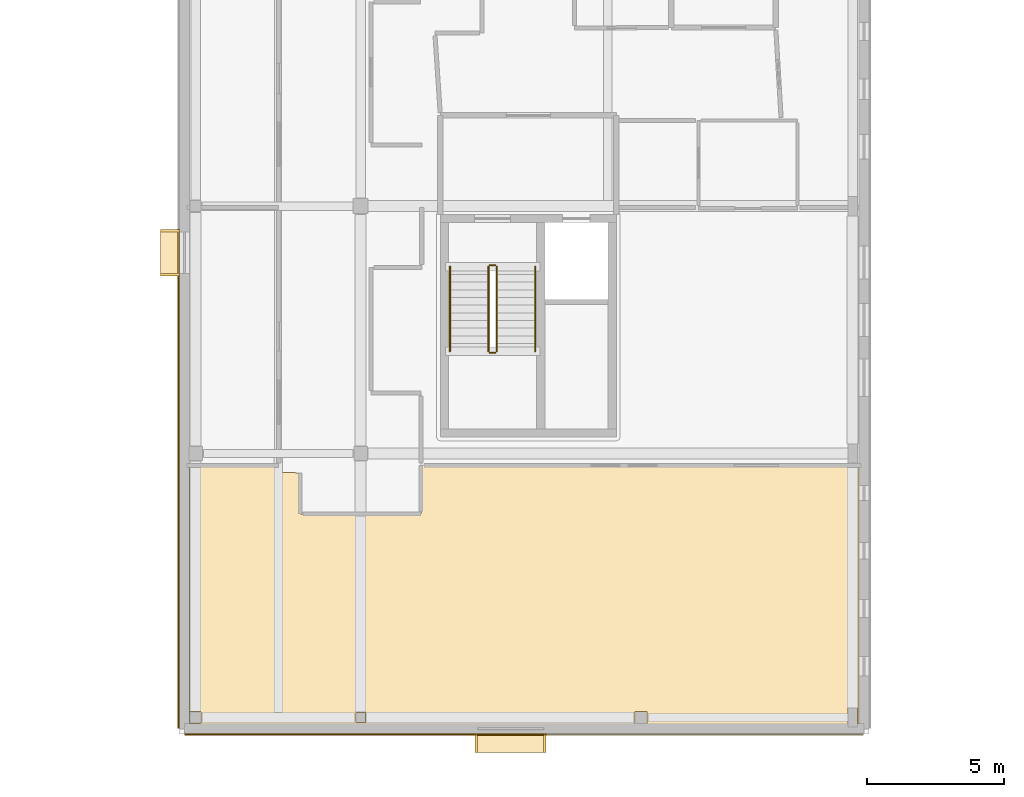
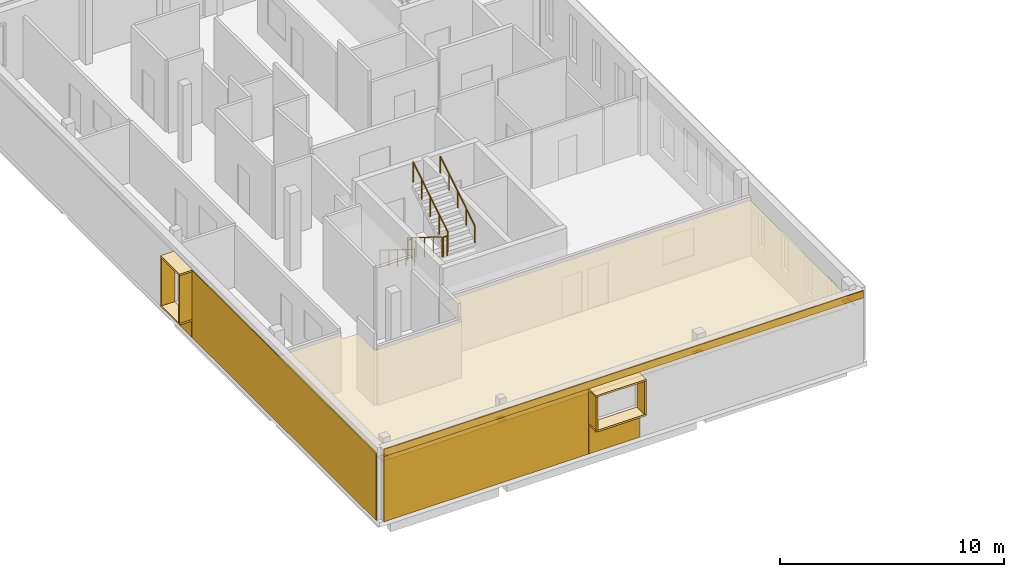
# One storey, part 61 of 84: 14 coverings, 6 railings.
"""IFC4 building model written with IfcOpenShell, lengths in metres."""

import ifcopenshell
import ifcopenshell.guid

model = None  # the IFC model being written
_history = None  # IfcOwnerHistory: only IFC2X3 demands one
_inside = {}  # id of a spatial element -> (the spatial element, [elements in it])
_under = {}  # id of a project, library or spatial element -> (it, [spatial elements below it])
_declared = {}  # id of a project -> (the project, [libraries it declares])
_typed = {}  # id of a type object -> (the type object, [elements of that type])
_made_of = {}  # id of a material, layer set ... -> (it, [elements and type objects made of it])


def new_model(schema):
    """Start an empty IFC model of exactly this schema.

    Asked for "IFC4X3", IfcOpenShell would pick the latest addendum, in which some entities
    have other attributes; the version numbers below select the first issue.
    IFC2X3 requires an IfcOwnerHistory on every rooted entity: one is made here for all.
    """
    global model, _history
    if schema == "IFC4X3":
        model = ifcopenshell.file(schema_version=(4, 3, 0, 0))
    else:
        model = ifcopenshell.file(schema=schema)
    _inside.clear()
    _under.clear()
    _declared.clear()
    _typed.clear()
    _made_of.clear()
    _history = None
    if model.schema == "IFC2X3":
        org = make("IfcOrganization", Name="unknown")
        user = make(
            "IfcPersonAndOrganization",
            ThePerson=make("IfcPerson", FamilyName="unknown"),
            TheOrganization=org,
        )
        app = make(
            "IfcApplication",
            ApplicationDeveloper=org,
            Version="unknown",
            ApplicationFullName="unknown",
            ApplicationIdentifier="unknown",
        )
        _history = make(
            "IfcOwnerHistory",
            OwningUser=user,
            OwningApplication=app,
            ChangeAction="ADDED",
            CreationDate=0,
        )
    return model


def make(cls, **values):
    """One entity of the class cls with the attributes given. An attribute that is None is left unset."""
    return model.create_entity(
        cls, **{name: value for name, value in values.items() if value is not None}
    )


def rooted(cls, **values):
    """An entity with a GlobalId (a new one), such as an element, a storey or a relation."""
    return make(cls, GlobalId=ifcopenshell.guid.new(), OwnerHistory=_history, **values)


def si_unit(unit_type, name, prefix=None):
    """IfcSIUnit, for example si_unit("LENGTHUNIT", "METRE", prefix="MILLI")."""
    return make("IfcSIUnit", UnitType=unit_type, Prefix=prefix, Name=name)


def assignment(units):
    """IfcUnitAssignment: the units of a project."""
    return None if units is None else make("IfcUnitAssignment", Units=units)


def point(xyz):
    """IfcCartesianPoint."""
    return None if xyz is None else make("IfcCartesianPoint", Coordinates=xyz)


def direction(xyz):
    """IfcDirection."""
    return None if xyz is None else make("IfcDirection", DirectionRatios=xyz)


def frame(location, z_axis=None, x_axis=None):
    """IfcAxis2Placement3D, a coordinate frame: its origin and axes. An axis left out is left unset."""
    return make(
        "IfcAxis2Placement3D",
        Location=point(location),
        Axis=direction(z_axis),
        RefDirection=direction(x_axis),
    )


def frame_2d(location, x_axis=None):
    """IfcAxis2Placement2D, a coordinate frame in the plane: its origin and x axis."""
    return make(
        "IfcAxis2Placement2D", Location=point(location), RefDirection=direction(x_axis)
    )


def origin():
    """The frame at (0, 0, 0) with its axes left unset."""
    return frame((0.0, 0.0, 0.0))


def origin_2d():
    """The frame at (0, 0) in the plane with its x axis left unset."""
    return frame_2d((0.0, 0.0))


def place(relative_to, where):
    """IfcLocalPlacement: puts the frame where relative to a parent placement (None: the world)."""
    return make(
        "IfcLocalPlacement", PlacementRelTo=relative_to, RelativePlacement=where
    )


def context(
    kind, dimensions, precision=None, world=None, true_north=None, identifier=None
):
    """IfcGeometricRepresentationContext, for example the 3D "Model" context."""
    return make(
        "IfcGeometricRepresentationContext",
        ContextIdentifier=identifier,
        ContextType=kind,
        CoordinateSpaceDimension=dimensions,
        Precision=precision,
        WorldCoordinateSystem=world,
        TrueNorth=true_north,
    )


def subcontext(parent, identifier, kind, view, scale=None):
    """IfcGeometricRepresentationSubContext, for example "Body" below "Model"."""
    return make(
        "IfcGeometricRepresentationSubContext",
        ContextIdentifier=identifier,
        ContextType=kind,
        ParentContext=parent,
        TargetScale=scale,
        TargetView=view,
    )


def project(units=None, contexts=None):
    """IfcProject with its units and contexts."""
    return rooted(
        "IfcProject",
        Name="project",
        RepresentationContexts=contexts,
        UnitsInContext=assignment(units),
    )


def spatial(cls, under=None, at=None, **own):
    """A site, building, storey or space (cls), placed at a placement, below another one or the project."""
    s = rooted(cls, ObjectPlacement=at, **own)
    if under is not None:
        _under.setdefault(under.id(), (under, []))[1].append(s)
    return s


def polyline(points):
    """IfcPolyline through the points."""
    return make("IfcPolyline", Points=[point(p) for p in points])


def profile(cls, at=None, kind="AREA", **sizes):
    """A parametric profile (cls). Its sizes go by their IFC names, for example OverallWidth=200.0."""
    return make(cls, ProfileType=kind, Position=at, **sizes)


def rectangle(**sizes):
    """IfcRectangleProfileDef."""
    return profile("IfcRectangleProfileDef", **sizes)


def circle(**sizes):
    """IfcCircleProfileDef."""
    return profile("IfcCircleProfileDef", **sizes)


def outline(outer, holes=None, kind="AREA"):
    """IfcArbitraryClosedProfileDef: a profile drawn as a closed curve; with holes, ...WithVoids."""
    if holes is None:
        return make("IfcArbitraryClosedProfileDef", ProfileType=kind, OuterCurve=outer)
    return make(
        "IfcArbitraryProfileDefWithVoids",
        ProfileType=kind,
        OuterCurve=outer,
        InnerCurves=holes,
    )


def extrude(swept, where, along, depth):
    """IfcExtrudedAreaSolid: the profile swept, set in the frame where, extruded along a direction by depth."""
    return make(
        "IfcExtrudedAreaSolid",
        SweptArea=swept,
        Position=where,
        ExtrudedDirection=direction(along),
        Depth=depth,
    )


def shape(context_of_items, identifier, shape_type, items):
    """IfcShapeRepresentation: the items that make up one representation, for example the "Body"."""
    return make(
        "IfcShapeRepresentation",
        ContextOfItems=context_of_items,
        RepresentationIdentifier=identifier,
        RepresentationType=shape_type,
        Items=items,
    )


def material(Name=None, Category=None):
    """IfcMaterial."""
    return make("IfcMaterial", Name=Name, Category=Category)


def layer(
    of_material, thickness, ventilated=None, Name=None, Category=None, Priority=None
):
    """IfcMaterialLayer: one layer of a wall or slab, of a material (None: an air gap)."""
    return make(
        "IfcMaterialLayer",
        Material=of_material,
        LayerThickness=thickness,
        IsVentilated=ventilated,
        Name=Name,
        Category=Category,
        Priority=Priority,
    )


def layer_set(layers, Name=None):
    """IfcMaterialLayerSet."""
    return make("IfcMaterialLayerSet", MaterialLayers=layers, LayerSetName=Name)


def made_of(thing, what):
    """Note that an element or type object is made of a material, layer set ...; save() writes the relation."""
    if what is not None:
        _made_of.setdefault(what.id(), (what, []))[1].append(thing)
    return thing


def type_object(cls, material=None, **own):
    """A type object (cls), such as IfcWallType, which elements share."""
    return made_of(rooted(cls, **own), material)


def element(
    cls,
    number,
    at=None,
    inside=None,
    cuts=None,
    type_object=None,
    material=None,
    context=None,
    identifier="Body",
    shape_type=None,
    held_by="IfcProductDefinitionShape",
    body=None,
    shapes=None,
    **own,
):
    """One element of the class cls, such as IfcWall. Its Tag is "e" and its number.

    at: its placement. inside: the storey or other place that contains it. cuts: it is an
    opening in that element (IfcRelVoidsElement). A single representation is given by context,
    identifier, shape_type and body (its items); several are given by shapes. held_by: the class
    of the entity that holds the representations. save() writes the other relations.
    """
    e = rooted(cls, Tag="e%d" % number, ObjectPlacement=at, **own)
    if body is not None:
        shapes = [shape(context, identifier, shape_type, body)]
    if shapes is not None:
        e.Representation = make(held_by, Representations=shapes)
    if inside is not None:
        _inside.setdefault(inside.id(), (inside, []))[1].append(e)
    if cuts is not None:
        rooted(
            "IfcRelVoidsElement", RelatingBuildingElement=cuts, RelatedOpeningElement=e
        )
    if type_object is not None:
        _typed.setdefault(type_object.id(), (type_object, []))[1].append(e)
    return made_of(e, material)


def aggregate(whole, parts):
    """IfcRelAggregates: a whole, such as a stair, and the parts it consists of."""
    return rooted("IfcRelAggregates", RelatingObject=whole, RelatedObjects=parts)


def save(model, path):
    """Write the relations noted so far, then the file.

    IfcRelAggregates (storeys below a building ...), IfcRelContainedInSpatialStructure (elements
    in a storey), IfcRelDefinesByType, IfcRelAssociatesMaterial and IfcRelDeclares: one each for
    every whole, place, type object, material and project.
    """
    for whole, parts in _under.values():
        aggregate(whole, parts)
    for where, things in _inside.values():
        rooted(
            "IfcRelContainedInSpatialStructure",
            RelatedElements=things,
            RelatingStructure=where,
        )
    for kind, things in _typed.values():
        rooted("IfcRelDefinesByType", RelatedObjects=things, RelatingType=kind)
    for what, things in _made_of.values():
        rooted("IfcRelAssociatesMaterial", RelatedObjects=things, RelatingMaterial=what)
    for by, libraries in _declared.values():
        rooted("IfcRelDeclares", RelatingContext=by, RelatedDefinitions=libraries)
    model.write(path)


model = new_model("IFC4")

# Units and contexts
model_context = context("Model", 3, precision=1e-05, world=origin(), true_north=direction((0.0, 1.0)))
body_context = subcontext(model_context, "Body", "Model", "MODEL_VIEW")
ifc_project = project(units=[si_unit("LENGTHUNIT", "METRE"), si_unit("AREAUNIT", "SQUARE_METRE"), si_unit("VOLUMEUNIT", "CUBIC_METRE"), si_unit("PLANEANGLEUNIT", "RADIAN"), si_unit("MASSUNIT", "GRAM", prefix="KILO")], contexts=[model_context])

# Site, building, storey
site_placement = place(None, origin())
site = spatial("IfcSite", under=ifc_project, at=site_placement, CompositionType="ELEMENT")
building_placement = place(site_placement, origin())
building = spatial("IfcBuilding", under=site, at=building_placement, Name="Mzevani Central Library", CompositionType="ELEMENT")
storey_placement = place(building_placement, frame((0.0, 0.0, 5.39990234375)))
storey = spatial("IfcBuildingStorey", under=building, at=storey_placement, Name="L01", CompositionType="ELEMENT", Elevation=5.39990234375)

# Railings
ifc_material_1 = material(Name="Brushed stainless steel rail", Category="steel")
railing_type_1 = type_object("IfcRailingType", Name="Interior Gallery and Stair Guard 1100", PredefinedType="BALUSTRADE", material=ifc_material_1)
railing_1_placement = place(storey_placement, frame((40.449951171875, 21.0, 0.175048828125)))
element("IfcRailing", 1, at=railing_1_placement, inside=storey, type_object=railing_type_1, Name="L01 ST-07 stair guard 1", PredefinedType="BALUSTRADE", context=body_context, shape_type="SweptSolid", body=[
    extrude(circle(Radius=0.02392578125, at=origin_2d()), frame((0.0, 0.0, 1.076171875), z_axis=(0.0, -0.847998304005, 0.529998940003), x_axis=(1.0, 0.0, 0.0)), (0.0, 0.0, 1.0), 3.632080078125),
    extrude(circle(Radius=0.02099609375, at=origin_2d()), origin(), (0.0, 0.0, 1.0), 1.052001953125),
    extrude(circle(Radius=0.02099609375, at=origin_2d()), frame((0.0, -0.77001953125, 0.481201171875)), (0.0, 0.0, 1.0), 1.052001953125),
    extrude(circle(Radius=0.02099609375, at=origin_2d()), frame((0.0, -1.5400390625, 0.96240234375)), (0.0, 0.0, 1.0), 1.052001953125),
    extrude(circle(Radius=0.02099609375, at=origin_2d()), frame((0.0, -2.31005859375, 1.44384765625)), (0.0, 0.0, 1.0), 1.052001953125),
    extrude(circle(Radius=0.02099609375, at=origin_2d()), frame((0.0, -3.080078125, 1.925048828125)), (0.0, 0.0, 1.0), 1.052001953125),
])
railing_2_placement = place(storey_placement, frame((40.5, 17.8701171875, 2.10009765625)))
element("IfcRailing", 2, at=railing_2_placement, inside=storey, type_object=railing_type_1, Name="L01 ST-07 stair guard 2", PredefinedType="BALUSTRADE", context=body_context, shape_type="SweptSolid", body=[
    extrude(circle(Radius=0.02392578125, at=origin_2d()), frame((0.0, 0.0, 1.076171875), z_axis=(1.0, 0.0, 0.0), x_axis=(0.0, 1.0, 0.0)), (0.0, 0.0, 1.0), 0.199951171875),
    extrude(circle(Radius=0.02099609375, at=origin_2d()), origin(), (0.0, 0.0, 1.0), 1.052001953125),
    extrude(circle(Radius=0.02099609375, at=origin_2d()), frame((0.199951171875, 0.0, 0.0)), (0.0, 0.0, 1.0), 1.052001953125),
])
railing_3_placement = place(storey_placement, frame((40.75, 17.919921875, 2.275146484375)))
element("IfcRailing", 3, at=railing_3_placement, inside=storey, type_object=railing_type_1, Name="L01 ST-07 stair guard 3", PredefinedType="BALUSTRADE", context=body_context, shape_type="SweptSolid", body=[
    extrude(circle(Radius=0.02392578125, at=origin_2d()), frame((0.0, 0.0, 1.076171875), z_axis=(0.0, 0.847998304005, 0.529998940003), x_axis=(-1.0, 0.0, 0.0)), (0.0, 0.0, 1.0), 3.632080078125),
    extrude(circle(Radius=0.02099609375, at=origin_2d()), origin(), (0.0, 0.0, 1.0), 1.052001953125),
    extrude(circle(Radius=0.02099609375, at=origin_2d()), frame((0.0, 0.77001953125, 0.481201171875)), (0.0, 0.0, 1.0), 1.052001953125),
    extrude(circle(Radius=0.02099609375, at=origin_2d()), frame((0.0, 1.5400390625, 0.96240234375)), (0.0, 0.0, 1.0), 1.052001953125),
    extrude(circle(Radius=0.02099609375, at=origin_2d()), frame((0.0, 2.31005859375, 1.44384765625)), (0.0, 0.0, 1.0), 1.052001953125),
    extrude(circle(Radius=0.02099609375, at=origin_2d()), frame((0.0, 3.080078125, 1.925048828125)), (0.0, 0.0, 1.0), 1.052001953125),
])
railing_4_placement = place(storey_placement, frame((40.5, 21.050048828125, 0.0)))
element("IfcRailing", 4, at=railing_4_placement, inside=storey, type_object=railing_type_1, Name="L01 ST-07 stair guard 4", PredefinedType="BALUSTRADE", context=body_context, shape_type="SweptSolid", body=[
    extrude(circle(Radius=0.02392578125, at=origin_2d()), frame((0.0, 0.0, 1.076171875), z_axis=(1.0, 0.0, 0.0), x_axis=(0.0, 1.0, 0.0)), (0.0, 0.0, 1.0), 0.199951171875),
    extrude(circle(Radius=0.02099609375, at=origin_2d()), origin(), (0.0, 0.0, 1.0), 1.052001953125),
    extrude(circle(Radius=0.02099609375, at=origin_2d()), frame((0.199951171875, 0.0, 0.0)), (0.0, 0.0, 1.0), 1.052001953125),
])

# Coverings
ifc_material_2 = material(Name="Limestone ashlar cladding", Category="masonry")
ifc_layer_1 = layer(ifc_material_2, 0.050048828125, Name="Limestone Ashlar Spandrel Cladding")
ifc_layer_set_1 = layer_set([ifc_layer_1], Name="Limestone ashlar cladding")
covering_type_1 = type_object("IfcCoveringType", Name="Limestone Ashlar Spandrel Cladding", PredefinedType="CLADDING", material=ifc_layer_set_1)
for number, where, z_axis, x_axis, name in (
    (5, (41.255615234375, 3.662109375, 3.4501953125), (0.0, 0.0, 1.0), (-1.0, 0.0, 0.0), "L01 Deep Window Reveal HD (REV4-0146)"),
    (6, (41.255615234375, 3.662109375, 1.56005859375), (0.0, 0.0, 1.0), (-1.0, 0.0, 0.0), "L01 Deep Window Reveal SL (REV4-0146)"),
):
    element("IfcCovering", number, at=place(storey_placement, frame(where, z_axis=z_axis, x_axis=x_axis)), inside=storey, type_object=covering_type_1, Name=name, PredefinedType="CLADDING", context=body_context, shape_type="SweptSolid", body=[
        extrude(rectangle(XDim=2.580078125, YDim=0.679931640625, at=origin_2d()), origin(), (0.0, 0.0, 1.0), 0.090087890625),
    ])
for number, where, z_axis, x_axis, name in (
    (7, (42.50048828125, 3.662109375, 1.64990234375), (0.0, 0.0, 1.0), (-1.0, 0.0, 0.0), "L01 Deep Window Reveal JL (REV4-0146)"),
    (8, (40.010498046875, 3.662109375, 1.64990234375), (0.0, 0.0, 1.0), (-1.0, 0.0, 0.0), "L01 Deep Window Reveal JR (REV4-0146)"),
):
    element("IfcCovering", number, at=place(storey_placement, frame(where, z_axis=z_axis, x_axis=x_axis)), inside=storey, type_object=covering_type_1, Name=name, PredefinedType="CLADDING", context=body_context, shape_type="SweptSolid", body=[
        extrude(rectangle(XDim=0.090087890625, YDim=0.679931640625, at=origin_2d()), origin(), (0.0, 0.0, 1.0), 1.800048828125),
    ])
covering_1_placement = place(storey_placement, frame((41.75, 3.97607421875, 3.55029296875), z_axis=(0.0, 0.0, 1.0), x_axis=(-1.0, 0.0, 0.0)))
element("IfcCovering", 9, at=covering_1_placement, inside=storey, type_object=covering_type_1, Name="L01 Warm-White Facade Spandrel (EW4-V4-L01-0076)", PredefinedType="CLADDING", context=body_context, shape_type="SweptSolid", body=[
    extrude(rectangle(XDim=24.679931640625, YDim=0.050048828125, at=origin_2d()), origin(), (0.0, 0.0, 1.0), 0.389892578125),
])
covering_2_placement = place(storey_placement, frame((41.255615234375, 3.97607421875, 0.0), z_axis=(0.0, 0.0, 1.0), x_axis=(-1.0, 0.0, 0.0)))
element("IfcCovering", 10, at=covering_2_placement, inside=storey, type_object=covering_type_1, Name="L01 Warm-White Sill Cladding 2 (EW4-V4-L01-0076)", PredefinedType="CLADDING", context=body_context, shape_type="SweptSolid", body=[
    extrude(rectangle(XDim=2.60009765625, YDim=0.050048828125, at=origin_2d()), origin(), (0.0, 0.0, 1.0), 1.550048828125),
])
covering_3_placement = place(storey_placement, frame((34.6728515625, 3.97607421875, 0.0), z_axis=(0.0, 0.0, 1.0), x_axis=(-1.0, 0.0, 0.0)))
element("IfcCovering", 11, at=covering_3_placement, inside=storey, type_object=covering_type_1, Name="L01 Warm-White Facade Pier 3 (EW4-V4-L01-0076)", PredefinedType="CLADDING", context=body_context, shape_type="SweptSolid", body=[
    extrude(rectangle(XDim=10.525634765625, YDim=0.050048828125, at=origin_2d()), origin(), (0.0, 0.0, 1.0), 3.550048828125),
])
for number, where, z_axis, x_axis, name in (
    (12, (28.862060546875, 21.50830078125, 3.56005859375), (0.0, 0.0, 1.0), (0.0, 1.0, 0.0), "L01 Deep Window Reveal HD (REV4-0147)"),
    (13, (28.862060546875, 21.50830078125, 0.8701171875), (0.0, 0.0, 1.0), (0.0, 1.0, 0.0), "L01 Deep Window Reveal SL (REV4-0147)"),
):
    element("IfcCovering", number, at=place(storey_placement, frame(where, z_axis=z_axis, x_axis=x_axis)), inside=storey, type_object=covering_type_1, Name=name, PredefinedType="CLADDING", context=body_context, shape_type="SweptSolid", body=[
        extrude(rectangle(XDim=1.679931640625, YDim=0.679931640625, at=origin_2d()), origin(), (0.0, 0.0, 1.0), 0.090087890625),
    ])
for number, where, z_axis, x_axis, name in (
    (14, (28.862060546875, 20.71337890625, 0.9599609375), (0.0, 0.0, 1.0), (0.0, 1.0, 0.0), "L01 Deep Window Reveal JL (REV4-0147)"),
    (15, (28.862060546875, 22.303466796875, 0.9599609375), (0.0, 0.0, 1.0), (0.0, 1.0, 0.0), "L01 Deep Window Reveal JR (REV4-0147)"),
):
    element("IfcCovering", number, at=place(storey_placement, frame(where, z_axis=z_axis, x_axis=x_axis)), inside=storey, type_object=covering_type_1, Name=name, PredefinedType="CLADDING", context=body_context, shape_type="SweptSolid", body=[
        extrude(rectangle(XDim=0.090087890625, YDim=0.679931640625, at=origin_2d()), origin(), (0.0, 0.0, 1.0), 2.60009765625),
    ])
covering_4_placement = place(storey_placement, frame((29.176025390625, 12.42431640625, 0.0), z_axis=(0.0, 0.0, 1.0), x_axis=(0.0, 1.0, 0.0)))
element("IfcCovering", 16, at=covering_4_placement, inside=storey, type_object=covering_type_1, Name="L01 Warm-White Facade Pier 1 (EW4-V4-L01-0077)", PredefinedType="CLADDING", context=body_context, shape_type="SweptSolid", body=[
    extrude(rectangle(XDim=16.428466796875, YDim=0.050048828125, at=origin_2d()), origin(), (0.0, 0.0, 1.0), 3.659912109375),
])
covering_5_placement = place(storey_placement, frame((29.176025390625, 21.50830078125, 0.0), z_axis=(0.0, 0.0, 1.0), x_axis=(0.0, 1.0, 0.0)))
element("IfcCovering", 17, at=covering_5_placement, inside=storey, type_object=covering_type_1, Name="L01 Warm-White Sill Cladding 2 (EW4-V4-L01-0077)", PredefinedType="CLADDING", context=body_context, shape_type="SweptSolid", body=[
    extrude(rectangle(XDim=1.699951171875, YDim=0.050048828125, at=origin_2d()), origin(), (0.0, 0.0, 1.0), 0.860107421875),
])
ifc_material_3 = material(Name="Mineral wool acoustic ceiling")
ifc_layer_2 = layer(ifc_material_3, 0.0400390625, Name="Perforated Timber Acoustic Ceiling")
ifc_layer_set_2 = layer_set([ifc_layer_2], Name="Mineral wool acoustic ceiling")
covering_type_2 = type_object("IfcCoveringType", Name="Perforated Timber Acoustic Ceiling", PredefinedType="CEILING", material=ifc_layer_set_2)
covering_6_placement = place(storey_placement, frame((0.0, 0.0, 2.9501953125)))
element("IfcCovering", 18, at=covering_6_placement, inside=storey, type_object=covering_type_2, Name="L01 Digital Fabrication and Maker Studio Acoustic Ceiling", PredefinedType="CEILING", context=body_context, shape_type="SweptSolid", body=[
    extrude(outline(polyline([(33.610107421875, 13.5009765625), (33.610107421875, 12.010009765625), (37.989990234375, 12.010009765625), (37.9990234375, 13.77490234375), (53.923828125, 13.774169921875), (53.92919921875, 4.376220703125), (53.875, 4.3701171875), (53.875, 4.949951171875), (53.52490234375, 4.949951171875), (53.52490234375, 4.3701171875), (29.576171875, 4.370849609375), (29.57080078125, 13.768798828125), (32.821044921875, 13.77490234375), (32.830078125, 13.510009765625), (33.610107421875, 13.5009765625)]), holes=[polyline([(30.0, 4.39990234375), (30.0, 4.800048828125), (29.60009765625, 4.800048828125), (29.60009765625, 4.39990234375), (30.0, 4.39990234375)]), polyline([(35.625, 4.425048828125), (35.97509765625, 4.425048828125), (35.97509765625, 4.77490234375), (35.625, 4.77490234375), (35.625, 4.425048828125)]), polyline([(45.77490234375, 4.824951171875), (45.77490234375, 4.375), (46.22509765625, 4.375), (46.22509765625, 4.824951171875), (45.77490234375, 4.824951171875)])]), origin(), (0.0, 0.0, 1.0), 0.039794921875),
])

# Railings
railing_type_2 = type_object("IfcRailingType", Name="Stair Wall Handrail 920", PredefinedType="HANDRAIL", material=ifc_material_1)
railing_5_placement = place(storey_placement, frame((39.050048828125, 21.0, 0.175048828125)))
element("IfcRailing", 19, at=railing_5_placement, inside=storey, type_object=railing_type_2, Name="L01 ST-07 stair handrail 1", PredefinedType="HANDRAIL", context=body_context, shape_type="SweptSolid", body=[
    extrude(circle(Radius=0.02392578125, at=origin_2d()), frame((0.0, 0.0, 0.89599609375), z_axis=(0.0, -0.847998304005, 0.529998940003), x_axis=(1.0, 0.0, 0.0)), (0.0, 0.0, 1.0), 3.632080078125),
    extrude(circle(Radius=0.02099609375, at=origin_2d()), origin(), (0.0, 0.0, 1.0), 0.871826171875),
    extrude(circle(Radius=0.02099609375, at=origin_2d()), frame((0.0, -0.77001953125, 0.481201171875)), (0.0, 0.0, 1.0), 0.871826171875),
    extrude(circle(Radius=0.02099609375, at=origin_2d()), frame((0.0, -1.5400390625, 0.96240234375)), (0.0, 0.0, 1.0), 0.871826171875),
    extrude(circle(Radius=0.02099609375, at=origin_2d()), frame((0.0, -2.31005859375, 1.44384765625)), (0.0, 0.0, 1.0), 0.871826171875),
    extrude(circle(Radius=0.02099609375, at=origin_2d()), frame((0.0, -3.080078125, 1.925048828125)), (0.0, 0.0, 1.0), 0.871826171875),
])
railing_6_placement = place(storey_placement, frame((42.14990234375, 17.919921875, 2.275146484375)))
element("IfcRailing", 20, at=railing_6_placement, inside=storey, type_object=railing_type_2, Name="L01 ST-07 stair handrail 2", PredefinedType="HANDRAIL", context=body_context, shape_type="SweptSolid", body=[
    extrude(circle(Radius=0.02392578125, at=origin_2d()), frame((0.0, 0.0, 0.89599609375), z_axis=(0.0, 0.847998304005, 0.529998940003), x_axis=(-1.0, 0.0, 0.0)), (0.0, 0.0, 1.0), 3.632080078125),
    extrude(circle(Radius=0.02099609375, at=origin_2d()), origin(), (0.0, 0.0, 1.0), 0.871826171875),
    extrude(circle(Radius=0.02099609375, at=origin_2d()), frame((0.0, 0.77001953125, 0.481201171875)), (0.0, 0.0, 1.0), 0.871826171875),
    extrude(circle(Radius=0.02099609375, at=origin_2d()), frame((0.0, 1.5400390625, 0.96240234375)), (0.0, 0.0, 1.0), 0.871826171875),
    extrude(circle(Radius=0.02099609375, at=origin_2d()), frame((0.0, 2.31005859375, 1.44384765625)), (0.0, 0.0, 1.0), 0.871826171875),
    extrude(circle(Radius=0.02099609375, at=origin_2d()), frame((0.0, 3.080078125, 1.925048828125)), (0.0, 0.0, 1.0), 0.871826171875),
])

save(model, "model.ifc")
